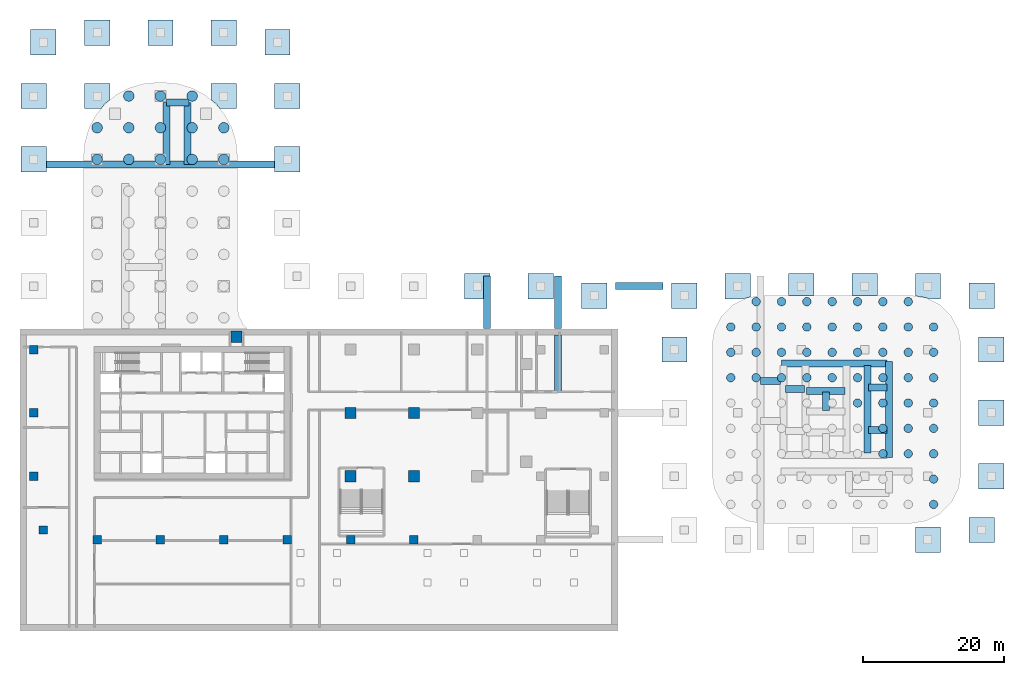
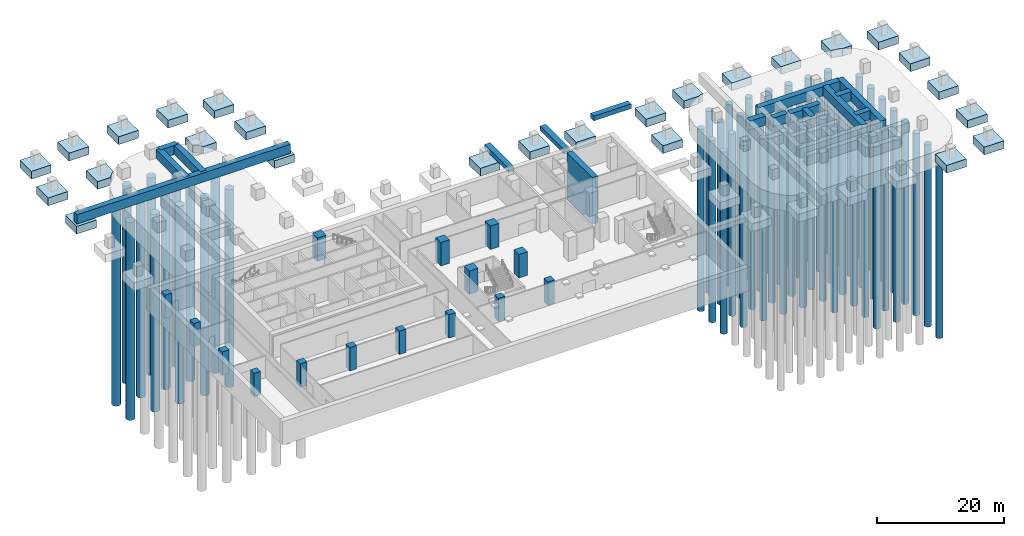
# One storey, part 2 of 14: 59 piles, 43 footings, 15 columns.
"""IFC4 building model written with IfcOpenShell, lengths in metres."""

from ifc_helpers import new_model, si_unit, direction, frame, origin, origin_2d, place, context, subcontext, project, spatial, polyline, rectangle, circle, outline, extrude, material, material_profile, profile_set, type_object, element, save


model = new_model("IFC4")

# Units and contexts
model_context = context("Model", 3, precision=1e-05, world=origin(), true_north=direction((0.0, 1.0)))
body_context = subcontext(model_context, "Body", "Model", "MODEL_VIEW")
ifc_project = project(units=[si_unit("LENGTHUNIT", "METRE"), si_unit("AREAUNIT", "SQUARE_METRE"), si_unit("VOLUMEUNIT", "CUBIC_METRE"), si_unit("PLANEANGLEUNIT", "RADIAN"), si_unit("MASSUNIT", "GRAM", prefix="KILO")], contexts=[model_context])

# Site, building, storey
site_placement = place(None, origin())
site = spatial("IfcSite", under=ifc_project, at=site_placement, CompositionType="ELEMENT")
building_placement = place(site_placement, origin())
building = spatial("IfcBuilding", under=site, at=building_placement, Name="Ogive Portal Towers", CompositionType="ELEMENT")
storey_placement = place(building_placement, frame((0.0, 0.0, -4.5)))
storey = spatial("IfcBuildingStorey", under=building, at=storey_placement, Name="B1", CompositionType="ELEMENT", Elevation=-4.5)

# Footings
ifc_material_1 = material(Name="Concrete C40/50", Category="concrete")
footing_type_1 = type_object("IfcFootingType", Name="CORE WALL STRIP FOOTING 1000", PredefinedType="STRIP_FOOTING", material=ifc_material_1)
footing_1_placement = place(storey_placement, frame((0.0, 0.0, 2.5)))
element("IfcFooting", 1, at=footing_1_placement, inside=storey, type_object=footing_type_1, Name="Core wall strip footing", PredefinedType="STRIP_FOOTING", context=body_context, shape_type="SweptSolid", body=[
    extrude(outline(polyline([(144.5, 37.800048828125), (143.5, 37.800048828125), (143.5, 24.199951171875), (144.5, 24.199951171875), (144.5, 37.800048828125)])), origin(), (0.0, 0.0, 1.0), 1.75),
])
footing_2_placement = place(storey_placement, frame((0.0, 0.0, 2.5)))
element("IfcFooting", 2, at=footing_2_placement, inside=storey, type_object=footing_type_1, Name="Core wall strip footing", PredefinedType="STRIP_FOOTING", context=body_context, shape_type="SweptSolid", body=[
    extrude(outline(polyline([(143.699951171875, 37.0), (143.699951171875, 38.0), (128.699951171875, 38.0), (128.699951171875, 37.0), (143.699951171875, 37.0)])), origin(), (0.0, 0.0, 1.0), 1.75),
])
footing_3_placement = place(storey_placement, frame((0.0, 0.0, 2.5)))
element("IfcFooting", 3, at=footing_3_placement, inside=storey, type_object=footing_type_1, Name="Core wall strip footing", PredefinedType="STRIP_FOOTING", context=body_context, shape_type="SweptSolid", body=[
    extrude(outline(polyline([(141.39990234375, 37.199951171875), (140.39990234375, 37.199951171875), (140.39990234375, 24.800048828125), (141.39990234375, 24.800048828125), (141.39990234375, 37.199951171875)])), origin(), (0.0, 0.0, 1.0), 1.75),
])
footing_4_placement = place(storey_placement, frame((0.0, 0.0, 2.5)))
element("IfcFooting", 4, at=footing_4_placement, inside=storey, type_object=footing_type_1, Name="Core wall strip footing", PredefinedType="STRIP_FOOTING", context=body_context, shape_type="SweptSolid", body=[
    extrude(outline(polyline([(135.5, 33.449951171875), (134.5, 33.449951171875), (134.5, 30.85009765625), (135.5, 30.85009765625), (135.5, 33.449951171875)])), origin(), (0.0, 0.0, 1.0), 1.75),
])
footing_5_placement = place(storey_placement, frame((0.0, 0.0, 2.5)))
element("IfcFooting", 5, at=footing_5_placement, inside=storey, type_object=footing_type_1, Name="Core wall strip footing", PredefinedType="STRIP_FOOTING", context=body_context, shape_type="SweptSolid", body=[
    extrude(outline(polyline([(137.75, 33.10009765625), (137.75, 34.10009765625), (132.25, 34.10009765625), (132.25, 33.10009765625), (137.75, 33.10009765625)])), origin(), (0.0, 0.0, 1.0), 1.75),
])
footing_6_placement = place(storey_placement, frame((0.0, 0.0, 2.5)))
element("IfcFooting", 6, at=footing_6_placement, inside=storey, type_object=footing_type_1, Name="Core wall strip footing", PredefinedType="STRIP_FOOTING", context=body_context, shape_type="SweptSolid", body=[
    extrude(outline(polyline([(131.949951171875, 33.39990234375), (131.949951171875, 34.39990234375), (129.300048828125, 34.39990234375), (129.300048828125, 33.39990234375), (131.949951171875, 33.39990234375)])), origin(), (0.0, 0.0, 1.0), 1.75),
])
footing_7_placement = place(storey_placement, frame((0.0, 0.0, 2.5)))
element("IfcFooting", 7, at=footing_7_placement, inside=storey, type_object=footing_type_1, Name="Core wall strip footing", PredefinedType="STRIP_FOOTING", context=body_context, shape_type="SweptSolid", body=[
    extrude(outline(polyline([(143.699951171875, 27.60009765625), (143.699951171875, 28.60009765625), (141.050048828125, 28.60009765625), (141.050048828125, 27.60009765625), (143.699951171875, 27.60009765625)])), origin(), (0.0, 0.0, 1.0), 1.75),
])
footing_8_placement = place(storey_placement, frame((0.0, 0.0, 2.5)))
element("IfcFooting", 8, at=footing_8_placement, inside=storey, type_object=footing_type_1, Name="Core wall strip footing", PredefinedType="STRIP_FOOTING", context=body_context, shape_type="SweptSolid", body=[
    extrude(outline(polyline([(143.699951171875, 33.60009765625), (143.699951171875, 34.60009765625), (141.050048828125, 34.60009765625), (141.050048828125, 33.60009765625), (143.699951171875, 33.60009765625)])), origin(), (0.0, 0.0, 1.0), 1.75),
])
footing_type_2 = type_object("IfcFootingType", Name="PAD 3600x3600x1500", PredefinedType="PAD_FOOTING", material=ifc_material_1)
footing_9_placement = place(storey_placement, frame((0.0, 0.0, 1.0)))
element("IfcFooting", 9, at=footing_9_placement, inside=storey, type_object=footing_type_2, Name="Pad footing", PredefinedType="PAD_FOOTING", context=body_context, shape_type="SweptSolid", body=[
    extrude(outline(polyline([(24.300048828125, 64.699951171875), (24.300048828125, 68.300048828125), (20.699951171875, 68.300048828125), (20.699951171875, 64.699951171875), (24.300048828125, 64.699951171875)])), origin(), (0.0, 0.0, 1.0), 1.5),
])
footing_10_placement = place(storey_placement, frame((0.0, 0.0, 1.0)))
element("IfcFooting", 10, at=footing_10_placement, inside=storey, type_object=footing_type_2, Name="Pad footing", PredefinedType="PAD_FOOTING", context=body_context, shape_type="SweptSolid", body=[
    extrude(outline(polyline([(24.300048828125, 73.699951171875), (24.300048828125, 77.300048828125), (20.699951171875, 77.300048828125), (20.699951171875, 73.699951171875), (24.300048828125, 73.699951171875)])), origin(), (0.0, 0.0, 1.0), 1.5),
])
footing_11_placement = place(storey_placement, frame((0.0, 0.0, 1.0)))
element("IfcFooting", 11, at=footing_11_placement, inside=storey, type_object=footing_type_2, Name="Pad footing", PredefinedType="PAD_FOOTING", context=body_context, shape_type="SweptSolid", body=[
    extrude(outline(polyline([(25.669921875, 81.330078125), (25.669921875, 84.929931640625), (22.070068359375, 84.929931640625), (22.070068359375, 81.330078125), (25.669921875, 81.330078125)])), origin(), (0.0, 0.0, 1.0), 1.5),
])
footing_12_placement = place(storey_placement, frame((0.0, 0.0, 1.0)))
element("IfcFooting", 12, at=footing_12_placement, inside=storey, type_object=footing_type_2, Name="Pad footing", PredefinedType="PAD_FOOTING", context=body_context, shape_type="SweptSolid", body=[
    extrude(outline(polyline([(29.699951171875, 73.699951171875), (32.0419921875, 73.699951171875), (32.611083984375, 74.39013671875), (33.300048828125, 74.9580078125), (33.300048828125, 77.300048828125), (29.699951171875, 77.300048828125), (29.699951171875, 73.699951171875)])), origin(), (0.0, 0.0, 1.0), 1.5),
])
footing_13_placement = place(storey_placement, frame((0.0, 0.0, 1.0)))
element("IfcFooting", 13, at=footing_13_placement, inside=storey, type_object=footing_type_2, Name="Pad footing", PredefinedType="PAD_FOOTING", context=body_context, shape_type="SweptSolid", body=[
    extrude(outline(polyline([(33.300048828125, 82.699951171875), (33.300048828125, 86.300048828125), (29.699951171875, 86.300048828125), (29.699951171875, 82.699951171875), (33.300048828125, 82.699951171875)])), origin(), (0.0, 0.0, 1.0), 1.5),
])
footing_14_placement = place(storey_placement, frame((0.0, 0.0, 1.0)))
element("IfcFooting", 14, at=footing_14_placement, inside=storey, type_object=footing_type_2, Name="Pad footing", PredefinedType="PAD_FOOTING", context=body_context, shape_type="SweptSolid", body=[
    extrude(outline(polyline([(42.300048828125, 82.699951171875), (42.300048828125, 86.300048828125), (38.699951171875, 86.300048828125), (38.699951171875, 82.699951171875), (42.300048828125, 82.699951171875)])), origin(), (0.0, 0.0, 1.0), 1.5),
])
footing_15_placement = place(storey_placement, frame((0.0, 0.0, 1.0)))
element("IfcFooting", 15, at=footing_15_placement, inside=storey, type_object=footing_type_2, Name="Pad footing", PredefinedType="PAD_FOOTING", context=body_context, shape_type="SweptSolid", body=[
    extrude(outline(polyline([(47.699951171875, 77.300048828125), (47.699951171875, 74.9580078125), (48.39013671875, 74.388916015625), (48.9580078125, 73.699951171875), (51.300048828125, 73.699951171875), (51.300048828125, 77.300048828125), (47.699951171875, 77.300048828125)])), origin(), (0.0, 0.0, 1.0), 1.5),
])
footing_16_placement = place(storey_placement, frame((0.0, 0.0, 1.0)))
element("IfcFooting", 16, at=footing_16_placement, inside=storey, type_object=footing_type_2, Name="Pad footing", PredefinedType="PAD_FOOTING", context=body_context, shape_type="SweptSolid", body=[
    extrude(outline(polyline([(51.300048828125, 82.699951171875), (51.300048828125, 86.300048828125), (47.699951171875, 86.300048828125), (47.699951171875, 82.699951171875), (51.300048828125, 82.699951171875)])), origin(), (0.0, 0.0, 1.0), 1.5),
])
footing_17_placement = place(storey_placement, frame((0.0, 0.0, 1.0)))
element("IfcFooting", 17, at=footing_17_placement, inside=storey, type_object=footing_type_2, Name="Pad footing", PredefinedType="PAD_FOOTING", context=body_context, shape_type="SweptSolid", body=[
    extrude(outline(polyline([(58.929931640625, 81.330078125), (58.929931640625, 84.929931640625), (55.330078125, 84.929931640625), (55.330078125, 81.330078125), (58.929931640625, 81.330078125)])), origin(), (0.0, 0.0, 1.0), 1.5),
])
footing_18_placement = place(storey_placement, frame((0.0, 0.0, 1.0)))
element("IfcFooting", 18, at=footing_18_placement, inside=storey, type_object=footing_type_2, Name="Pad footing", PredefinedType="PAD_FOOTING", context=body_context, shape_type="SweptSolid", body=[
    extrude(outline(polyline([(60.300048828125, 64.699951171875), (60.300048828125, 68.300048828125), (56.699951171875, 68.300048828125), (56.699951171875, 64.699951171875), (60.300048828125, 64.699951171875)])), origin(), (0.0, 0.0, 1.0), 1.5),
])
footing_19_placement = place(storey_placement, frame((0.0, 0.0, 1.0)))
element("IfcFooting", 19, at=footing_19_placement, inside=storey, type_object=footing_type_2, Name="Pad footing", PredefinedType="PAD_FOOTING", context=body_context, shape_type="SweptSolid", body=[
    extrude(outline(polyline([(60.300048828125, 73.699951171875), (60.300048828125, 77.300048828125), (56.699951171875, 77.300048828125), (56.699951171875, 73.699951171875), (60.300048828125, 73.699951171875)])), origin(), (0.0, 0.0, 1.0), 1.5),
])
footing_20_placement = place(storey_placement, frame((0.0, 0.0, 1.0)))
element("IfcFooting", 20, at=footing_20_placement, inside=storey, type_object=footing_type_2, Name="Pad footing", PredefinedType="PAD_FOOTING", context=body_context, shape_type="SweptSolid", body=[
    extrude(outline(polyline([(87.300048828125, 46.699951171875), (87.300048828125, 50.300048828125), (83.699951171875, 50.300048828125), (83.699951171875, 46.699951171875), (87.300048828125, 46.699951171875)])), origin(), (0.0, 0.0, 1.0), 1.5),
])
footing_21_placement = place(storey_placement, frame((0.0, 0.0, 1.0)))
element("IfcFooting", 21, at=footing_21_placement, inside=storey, type_object=footing_type_2, Name="Pad footing", PredefinedType="PAD_FOOTING", context=body_context, shape_type="SweptSolid", body=[
    extrude(outline(polyline([(96.300048828125, 46.699951171875), (96.300048828125, 50.300048828125), (92.699951171875, 50.300048828125), (92.699951171875, 46.699951171875), (96.300048828125, 46.699951171875)])), origin(), (0.0, 0.0, 1.0), 1.5),
])
footing_22_placement = place(storey_placement, frame((0.0, 0.0, 1.0)))
element("IfcFooting", 22, at=footing_22_placement, inside=storey, type_object=footing_type_2, Name="Pad footing", PredefinedType="PAD_FOOTING", context=body_context, shape_type="SweptSolid", body=[
    extrude(outline(polyline([(103.929931640625, 45.330078125), (103.929931640625, 48.929931640625), (100.330078125, 48.929931640625), (100.330078125, 45.330078125), (103.929931640625, 45.330078125)])), origin(), (0.0, 0.0, 1.0), 1.5),
])
footing_23_placement = place(storey_placement, frame((0.0, 0.0, 1.0)))
element("IfcFooting", 23, at=footing_23_placement, inside=storey, type_object=footing_type_2, Name="Pad footing", PredefinedType="PAD_FOOTING", context=body_context, shape_type="SweptSolid", body=[
    extrude(outline(polyline([(115.300048828125, 37.699951171875), (115.300048828125, 41.300048828125), (111.699951171875, 41.300048828125), (111.699951171875, 37.699951171875), (115.300048828125, 37.699951171875)])), origin(), (0.0, 0.0, 1.0), 1.5),
])
footing_24_placement = place(storey_placement, frame((0.0, 0.0, 1.0)))
element("IfcFooting", 24, at=footing_24_placement, inside=storey, type_object=footing_type_2, Name="Pad footing", PredefinedType="PAD_FOOTING", context=body_context, shape_type="SweptSolid", body=[
    extrude(outline(polyline([(116.669921875, 45.330078125), (116.669921875, 48.929931640625), (113.070068359375, 48.929931640625), (113.070068359375, 45.330078125), (116.669921875, 45.330078125)])), origin(), (0.0, 0.0, 1.0), 1.5),
])
footing_25_placement = place(storey_placement, frame((0.0, 0.0, 1.0)))
element("IfcFooting", 25, at=footing_25_placement, inside=storey, type_object=footing_type_2, Name="Pad footing", PredefinedType="PAD_FOOTING", context=body_context, shape_type="SweptSolid", body=[
    extrude(outline(polyline([(120.699951171875, 46.699951171875), (123.4306640625, 46.699951171875), (123.768310546875, 46.87158203125), (124.300048828125, 46.955810546875), (124.300048828125, 50.300048828125), (120.699951171875, 50.300048828125), (120.699951171875, 46.699951171875)])), origin(), (0.0, 0.0, 1.0), 1.5),
])
footing_26_placement = place(storey_placement, frame((0.0, 0.0, 1.0)))
element("IfcFooting", 26, at=footing_26_placement, inside=storey, type_object=footing_type_2, Name="Pad footing", PredefinedType="PAD_FOOTING", context=body_context, shape_type="SweptSolid", body=[
    extrude(outline(polyline([(129.699951171875, 50.300048828125), (129.699951171875, 47.199951171875), (133.300048828125, 47.199951171875), (133.300048828125, 50.300048828125), (129.699951171875, 50.300048828125)])), origin(), (0.0, 0.0, 1.0), 1.5),
])
footing_27_placement = place(storey_placement, frame((0.0, 0.0, 1.0)))
element("IfcFooting", 27, at=footing_27_placement, inside=storey, type_object=footing_type_2, Name="Pad footing", PredefinedType="PAD_FOOTING", context=body_context, shape_type="SweptSolid", body=[
    extrude(outline(polyline([(138.699951171875, 50.300048828125), (138.699951171875, 47.199951171875), (142.300048828125, 47.199951171875), (142.300048828125, 50.300048828125), (138.699951171875, 50.300048828125)])), origin(), (0.0, 0.0, 1.0), 1.5),
])
footing_28_placement = place(storey_placement, frame((0.0, 0.0, 1.0)))
element("IfcFooting", 28, at=footing_28_placement, inside=storey, type_object=footing_type_2, Name="Pad footing", PredefinedType="PAD_FOOTING", context=body_context, shape_type="SweptSolid", body=[
    extrude(outline(polyline([(151.300048828125, 10.699951171875), (151.300048828125, 14.300048828125), (147.699951171875, 14.300048828125), (147.699951171875, 10.699951171875), (151.300048828125, 10.699951171875)])), origin(), (0.0, 0.0, 1.0), 1.5),
])
footing_29_placement = place(storey_placement, frame((0.0, 0.0, 1.0)))
element("IfcFooting", 29, at=footing_29_placement, inside=storey, type_object=footing_type_2, Name="Pad footing", PredefinedType="PAD_FOOTING", context=body_context, shape_type="SweptSolid", body=[
    extrude(outline(polyline([(147.699951171875, 50.300048828125), (147.699951171875, 47.1142578125), (149.231689453125, 46.87158203125), (149.5693359375, 46.699951171875), (151.300048828125, 46.699951171875), (151.300048828125, 50.300048828125), (147.699951171875, 50.300048828125)])), origin(), (0.0, 0.0, 1.0), 1.5),
])
footing_30_placement = place(storey_placement, frame((0.0, 0.0, 1.0)))
element("IfcFooting", 30, at=footing_30_placement, inside=storey, type_object=footing_type_2, Name="Pad footing", PredefinedType="PAD_FOOTING", context=body_context, shape_type="SweptSolid", body=[
    extrude(outline(polyline([(158.929931640625, 12.070068359375), (158.929931640625, 15.669921875), (155.330078125, 15.669921875), (155.330078125, 12.070068359375), (158.929931640625, 12.070068359375)])), origin(), (0.0, 0.0, 1.0), 1.5),
])
footing_31_placement = place(storey_placement, frame((0.0, 0.0, 1.0)))
element("IfcFooting", 31, at=footing_31_placement, inside=storey, type_object=footing_type_2, Name="Pad footing", PredefinedType="PAD_FOOTING", context=body_context, shape_type="SweptSolid", body=[
    extrude(outline(polyline([(158.929931640625, 45.330078125), (158.929931640625, 48.929931640625), (155.330078125, 48.929931640625), (155.330078125, 45.330078125), (158.929931640625, 45.330078125)])), origin(), (0.0, 0.0, 1.0), 1.5),
])
footing_32_placement = place(storey_placement, frame((0.0, 0.0, 1.0)))
element("IfcFooting", 32, at=footing_32_placement, inside=storey, type_object=footing_type_2, Name="Pad footing", PredefinedType="PAD_FOOTING", context=body_context, shape_type="SweptSolid", body=[
    extrude(outline(polyline([(160.300048828125, 19.699951171875), (160.300048828125, 23.300048828125), (156.699951171875, 23.300048828125), (156.699951171875, 19.699951171875), (160.300048828125, 19.699951171875)])), origin(), (0.0, 0.0, 1.0), 1.5),
])
footing_33_placement = place(storey_placement, frame((0.0, 0.0, 1.0)))
element("IfcFooting", 33, at=footing_33_placement, inside=storey, type_object=footing_type_2, Name="Pad footing", PredefinedType="PAD_FOOTING", context=body_context, shape_type="SweptSolid", body=[
    extrude(outline(polyline([(160.300048828125, 28.699951171875), (160.300048828125, 32.300048828125), (156.699951171875, 32.300048828125), (156.699951171875, 28.699951171875), (160.300048828125, 28.699951171875)])), origin(), (0.0, 0.0, 1.0), 1.5),
])
footing_34_placement = place(storey_placement, frame((0.0, 0.0, 1.0)))
element("IfcFooting", 34, at=footing_34_placement, inside=storey, type_object=footing_type_2, Name="Pad footing", PredefinedType="PAD_FOOTING", context=body_context, shape_type="SweptSolid", body=[
    extrude(outline(polyline([(160.300048828125, 37.699951171875), (160.300048828125, 41.300048828125), (156.699951171875, 41.300048828125), (156.699951171875, 37.699951171875), (160.300048828125, 37.699951171875)])), origin(), (0.0, 0.0, 1.0), 1.5),
])

# Piles
ifc_material_profile_1 = material_profile(ifc_material_1, circle(Radius=0.60009765625, at=origin_2d()), Name="PILE D1200")
ifc_profile_set_1 = profile_set([ifc_material_profile_1], Name="Concrete C40/50")
pile_type_1 = type_object("IfcPileType", Name="PILE D1200", PredefinedType="BORED", material=ifc_profile_set_1)
for number, where, z_axis, x_axis, name in (
    (35, (150.300048828125, 17.5, -0.39990234375), (0.0, 0.0, -1.0), (1.0, 0.0, 0.0), "Bored pile B009"),
    (36, (150.300048828125, 21.10009765625, -0.39990234375), (0.0, 0.0, -1.0), (1.0, 0.0, 0.0), "Bored pile B018"),
    (37, (143.10009765625, 24.699951171875, -0.39990234375), (0.0, 0.0, -1.0), (1.0, 0.0, 0.0), "Bored pile B025"),
    (38, (146.699951171875, 24.699951171875, -0.39990234375), (0.0, 0.0, -1.0), (1.0, 0.0, 0.0), "Bored pile B026"),
    (39, (150.300048828125, 24.699951171875, -0.39990234375), (0.0, 0.0, -1.0), (1.0, 0.0, 0.0), "Bored pile B027"),
    (40, (143.10009765625, 28.300048828125, -0.39990234375), (0.0, 0.0, -1.0), (1.0, 0.0, 0.0), "Bored pile B034"),
    (41, (146.699951171875, 28.300048828125, -0.39990234375), (0.0, 0.0, -1.0), (1.0, 0.0, 0.0), "Bored pile B035"),
    (42, (150.300048828125, 28.300048828125, -0.39990234375), (0.0, 0.0, -1.0), (1.0, 0.0, 0.0), "Bored pile B036"),
    (43, (139.5, 31.89990234375, -0.39990234375), (0.0, 0.0, -1.0), (1.0, 0.0, 0.0), "Bored pile B042"),
    (44, (143.10009765625, 31.89990234375, -0.39990234375), (0.0, 0.0, -1.0), (1.0, 0.0, 0.0), "Bored pile B043"),
    (45, (146.699951171875, 31.89990234375, -0.39990234375), (0.0, 0.0, -1.0), (1.0, 0.0, 0.0), "Bored pile B044"),
    (46, (150.300048828125, 31.89990234375, -0.39990234375), (0.0, 0.0, -1.0), (1.0, 0.0, 0.0), "Bored pile B045"),
    (47, (121.5, 35.5, -0.39990234375), (0.0, 0.0, -1.0), (1.0, 0.0, 0.0), "Bored pile B046"),
    (48, (125.10009765625, 35.5, -0.39990234375), (0.0, 0.0, -1.0), (1.0, 0.0, 0.0), "Bored pile B047"),
    (49, (128.699951171875, 35.5, -0.39990234375), (0.0, 0.0, -1.0), (1.0, 0.0, 0.0), "Bored pile B048"),
    (50, (132.300048828125, 35.5, -0.39990234375), (0.0, 0.0, -1.0), (1.0, 0.0, 0.0), "Bored pile B049"),
    (51, (135.89990234375, 35.5, -0.39990234375), (0.0, 0.0, -1.0), (1.0, 0.0, 0.0), "Bored pile B050"),
    (52, (139.5, 35.5, -0.39990234375), (0.0, 0.0, -1.0), (1.0, 0.0, 0.0), "Bored pile B051"),
    (53, (143.10009765625, 35.5, -0.39990234375), (0.0, 0.0, -1.0), (1.0, 0.0, 0.0), "Bored pile B052"),
    (54, (146.699951171875, 35.5, -0.39990234375), (0.0, 0.0, -1.0), (1.0, 0.0, 0.0), "Bored pile B053"),
    (55, (150.300048828125, 35.5, -0.39990234375), (0.0, 0.0, -1.0), (1.0, 0.0, 0.0), "Bored pile B054"),
    (56, (121.5, 39.10009765625, -0.39990234375), (0.0, 0.0, -1.0), (1.0, 0.0, 0.0), "Bored pile B055"),
    (57, (125.10009765625, 39.10009765625, -0.39990234375), (0.0, 0.0, -1.0), (1.0, 0.0, 0.0), "Bored pile B056"),
    (58, (128.699951171875, 39.10009765625, -0.39990234375), (0.0, 0.0, -1.0), (1.0, 0.0, 0.0), "Bored pile B057"),
    (59, (132.300048828125, 39.10009765625, -0.39990234375), (0.0, 0.0, -1.0), (1.0, 0.0, 0.0), "Bored pile B058"),
    (60, (135.89990234375, 39.10009765625, -0.39990234375), (0.0, 0.0, -1.0), (1.0, 0.0, 0.0), "Bored pile B059"),
    (61, (139.5, 39.10009765625, -0.39990234375), (0.0, 0.0, -1.0), (1.0, 0.0, 0.0), "Bored pile B060"),
    (62, (143.10009765625, 39.10009765625, -0.39990234375), (0.0, 0.0, -1.0), (1.0, 0.0, 0.0), "Bored pile B061"),
    (63, (146.699951171875, 39.10009765625, -0.39990234375), (0.0, 0.0, -1.0), (1.0, 0.0, 0.0), "Bored pile B062"),
    (64, (150.300048828125, 39.10009765625, -0.39990234375), (0.0, 0.0, -1.0), (1.0, 0.0, 0.0), "Bored pile B063"),
    (65, (121.5, 42.699951171875, -0.39990234375), (0.0, 0.0, -1.0), (1.0, 0.0, 0.0), "Bored pile B064"),
    (66, (125.10009765625, 42.699951171875, -0.39990234375), (0.0, 0.0, -1.0), (1.0, 0.0, 0.0), "Bored pile B065"),
    (67, (128.699951171875, 42.699951171875, -0.39990234375), (0.0, 0.0, -1.0), (1.0, 0.0, 0.0), "Bored pile B066"),
    (68, (132.300048828125, 42.699951171875, -0.39990234375), (0.0, 0.0, -1.0), (1.0, 0.0, 0.0), "Bored pile B067"),
    (69, (135.89990234375, 42.699951171875, -0.39990234375), (0.0, 0.0, -1.0), (1.0, 0.0, 0.0), "Bored pile B068"),
    (70, (139.5, 42.699951171875, -0.39990234375), (0.0, 0.0, -1.0), (1.0, 0.0, 0.0), "Bored pile B069"),
    (71, (143.10009765625, 42.699951171875, -0.39990234375), (0.0, 0.0, -1.0), (1.0, 0.0, 0.0), "Bored pile B070"),
    (72, (146.699951171875, 42.699951171875, -0.39990234375), (0.0, 0.0, -1.0), (1.0, 0.0, 0.0), "Bored pile B071"),
    (73, (150.300048828125, 42.699951171875, -0.39990234375), (0.0, 0.0, -1.0), (1.0, 0.0, 0.0), "Bored pile B072"),
    (74, (125.10009765625, 46.300048828125, -0.39990234375), (0.0, 0.0, -1.0), (1.0, 0.0, 0.0), "Bored pile B073"),
    (75, (128.699951171875, 46.300048828125, -0.39990234375), (0.0, 0.0, -1.0), (1.0, 0.0, 0.0), "Bored pile B074"),
    (76, (132.300048828125, 46.300048828125, -0.39990234375), (0.0, 0.0, -1.0), (1.0, 0.0, 0.0), "Bored pile B075"),
    (77, (135.89990234375, 46.300048828125, -0.39990234375), (0.0, 0.0, -1.0), (1.0, 0.0, 0.0), "Bored pile B076"),
    (78, (139.5, 46.300048828125, -0.39990234375), (0.0, 0.0, -1.0), (1.0, 0.0, 0.0), "Bored pile B077"),
    (79, (143.10009765625, 46.300048828125, -0.39990234375), (0.0, 0.0, -1.0), (1.0, 0.0, 0.0), "Bored pile B078"),
    (80, (146.699951171875, 46.300048828125, -0.39990234375), (0.0, 0.0, -1.0), (1.0, 0.0, 0.0), "Bored pile B079"),
):
    element("IfcPile", number, at=place(storey_placement, frame(where, z_axis=z_axis, x_axis=x_axis)), inside=storey, type_object=pile_type_1, Name=name, PredefinedType="BORED", context=body_context, shape_type="SweptSolid", body=[
        extrude(circle(Radius=0.60009765625, at=origin_2d()), origin(), (0.0, 0.0, 1.0), 35.0),
    ])
ifc_material_profile_2 = material_profile(ifc_material_1, circle(Radius=0.75, at=origin_2d()), Name="PILE D1500")
ifc_profile_set_2 = profile_set([ifc_material_profile_2], Name="Concrete C40/50")
pile_type_2 = type_object("IfcPileType", Name="PILE D1500", PredefinedType="BORED", material=ifc_profile_set_2)
for number, where, z_axis, x_axis, name in (
    (81, (31.5, 66.5, -1.14990234375), (0.0, 0.0, -1.0), (1.0, 0.0, 0.0), "Bored pile A2026"),
    (82, (36.0, 66.5, -1.14990234375), (0.0, 0.0, -1.0), (1.0, 0.0, 0.0), "Bored pile A2027"),
    (83, (40.5, 66.5, -1.14990234375), (0.0, 0.0, -1.0), (1.0, 0.0, 0.0), "Bored pile A2028"),
    (84, (45.0, 66.5, -1.14990234375), (0.0, 0.0, -1.0), (1.0, 0.0, 0.0), "Bored pile A2029"),
    (85, (49.5, 66.5, -1.14990234375), (0.0, 0.0, -1.0), (1.0, 0.0, 0.0), "Bored pile A2030"),
    (86, (31.5, 71.0, -1.14990234375), (0.0, 0.0, -1.0), (1.0, 0.0, 0.0), "Bored pile A2031"),
    (87, (36.0, 71.0, -1.14990234375), (0.0, 0.0, -1.0), (1.0, 0.0, 0.0), "Bored pile A2032"),
    (88, (40.5, 71.0, -1.14990234375), (0.0, 0.0, -1.0), (1.0, 0.0, 0.0), "Bored pile A2033"),
    (89, (45.0, 71.0, -1.14990234375), (0.0, 0.0, -1.0), (1.0, 0.0, 0.0), "Bored pile A2034"),
    (90, (49.5, 71.0, -1.14990234375), (0.0, 0.0, -1.0), (1.0, 0.0, 0.0), "Bored pile A2035"),
    (91, (36.0, 75.5, -1.14990234375), (0.0, 0.0, -1.0), (1.0, 0.0, 0.0), "Bored pile A2036"),
    (92, (40.5, 75.5, -1.14990234375), (0.0, 0.0, -1.0), (1.0, 0.0, 0.0), "Bored pile A2037"),
    (93, (45.0, 75.5, -1.14990234375), (0.0, 0.0, -1.0), (1.0, 0.0, 0.0), "Bored pile A2038"),
):
    element("IfcPile", number, at=place(storey_placement, frame(where, z_axis=z_axis, x_axis=x_axis)), inside=storey, type_object=pile_type_2, Name=name, PredefinedType="BORED", context=body_context, shape_type="SweptSolid", body=[
        extrude(circle(Radius=0.75, at=origin_2d()), origin(), (0.0, 0.0, 1.0), 38.0),
    ])

# Footings
footing_type_3 = type_object("IfcFootingType", Name="STAIR WALL STRIP FOOTING", PredefinedType="STRIP_FOOTING", material=ifc_material_1)
footing_35_placement = place(storey_placement, frame((0.0, 0.0, 2.5)))
element("IfcFooting", 94, at=footing_35_placement, inside=storey, type_object=footing_type_3, Name="Stair wall strip footing ST-B1", PredefinedType="STRIP_FOOTING", context=body_context, shape_type="SweptSolid", body=[
    extrude(outline(polyline([(128.530029296875, 34.550048828125), (128.530029296875, 35.550048828125), (125.699951171875, 35.550048828125), (125.699951171875, 34.550048828125), (128.530029296875, 34.550048828125)])), origin(), (0.0, 0.0, 1.0), 1.75),
])
footing_36_placement = place(storey_placement, frame((0.0, 0.0, 2.5)))
element("IfcFooting", 95, at=footing_36_placement, inside=storey, type_object=footing_type_3, Name="Stair wall strip footing ST-A3", PredefinedType="STRIP_FOOTING", context=body_context, shape_type="SweptSolid", body=[
    extrude(outline(polyline([(59.929931640625, 65.25), (59.929931640625, 66.25), (21.070068359375, 66.25), (21.070068359375, 65.25), (59.929931640625, 65.25)])), origin(), (0.0, 0.0, 1.0), 1.75),
])
footing_37_placement = place(storey_placement, frame((0.0, 0.0, 2.5)))
element("IfcFooting", 96, at=footing_37_placement, inside=storey, type_object=footing_type_3, Name="Stair wall strip footing ST-A3", PredefinedType="STRIP_FOOTING", context=body_context, shape_type="SweptSolid", body=[
    extrude(outline(polyline([(44.550048828125, 74.10009765625), (44.550048828125, 75.10009765625), (41.35009765625, 75.10009765625), (41.35009765625, 74.10009765625), (44.550048828125, 74.10009765625)])), origin(), (0.0, 0.0, 1.0), 1.75),
])
footing_38_placement = place(storey_placement, frame((0.0, 0.0, 2.5)))
element("IfcFooting", 97, at=footing_38_placement, inside=storey, type_object=footing_type_3, Name="Stair wall strip footing ST-A3", PredefinedType="STRIP_FOOTING", context=body_context, shape_type="SweptSolid", body=[
    extrude(outline(polyline([(41.85009765625, 74.60009765625), (40.85009765625, 74.60009765625), (40.85009765625, 65.75), (41.85009765625, 65.75), (41.85009765625, 74.60009765625)])), origin(), (0.0, 0.0, 1.0), 1.75),
])
footing_39_placement = place(storey_placement, frame((0.0, 0.0, 2.5)))
element("IfcFooting", 98, at=footing_39_placement, inside=storey, type_object=footing_type_3, Name="Stair wall strip footing ST-A3", PredefinedType="STRIP_FOOTING", context=body_context, shape_type="SweptSolid", body=[
    extrude(outline(polyline([(44.85009765625, 74.60009765625), (43.85009765625, 74.60009765625), (43.85009765625, 65.75), (44.85009765625, 65.75), (44.85009765625, 74.60009765625)])), origin(), (0.0, 0.0, 1.0), 1.75),
])
footing_type_4 = type_object("IfcFootingType", Name="STRIP FOOTING 1000X900", PredefinedType="STRIP_FOOTING", material=ifc_material_1)
footing_40_placement = place(storey_placement, frame((0.0, 0.0, 3.35009765625)))
element("IfcFooting", 99, at=footing_40_placement, inside=storey, type_object=footing_type_4, Name="Stair wall strip footing ST-A4", PredefinedType="STRIP_FOOTING", context=body_context, shape_type="SweptSolid", body=[
    extrude(outline(polyline([(87.35009765625, 49.929931640625), (86.35009765625, 49.929931640625), (86.35009765625, 42.469970703125), (87.35009765625, 42.469970703125), (87.35009765625, 49.929931640625)])), origin(), (0.0, 0.0, 1.0), 0.89990234375),
])
footing_41_placement = place(storey_placement, frame((0.0, 0.0, 3.35009765625)))
element("IfcFooting", 100, at=footing_41_placement, inside=storey, type_object=footing_type_4, Name="Stair wall strip footing ST-P1", PredefinedType="STRIP_FOOTING", context=body_context, shape_type="SweptSolid", body=[
    extrude(outline(polyline([(97.449951171875, 49.929931640625), (96.449951171875, 49.929931640625), (96.449951171875, 42.469970703125), (97.449951171875, 42.469970703125), (97.449951171875, 49.929931640625)])), origin(), (0.0, 0.0, 1.0), 0.89990234375),
])
footing_42_placement = place(storey_placement, frame((0.0, 0.0, 3.35009765625)))
element("IfcFooting", 101, at=footing_42_placement, inside=storey, type_object=footing_type_4, Name="Street slab strip footing", PredefinedType="STRIP_FOOTING", context=body_context, shape_type="SweptSolid", body=[
    extrude(outline(polyline([(105.10009765625, 49.0), (105.10009765625, 48.0), (111.89990234375, 48.0), (111.89990234375, 49.0), (105.10009765625, 49.0)])), origin(), (0.0, 0.0, 1.0), 0.89990234375),
])
footing_type_5 = type_object("IfcFootingType", Name="STRIP FOOTING 1000X9000", PredefinedType="STRIP_FOOTING", material=ifc_material_1)
footing_43_placement = place(storey_placement, frame((0.0, 0.0, -4.75)))
element("IfcFooting", 102, at=footing_43_placement, inside=storey, type_object=footing_type_5, Name="Stair wall strip footing ST-P1", PredefinedType="STRIP_FOOTING", context=body_context, shape_type="SweptSolid", body=[
    extrude(outline(polyline([(97.449951171875, 33.5), (97.449951171875, 41.530029296875), (96.449951171875, 41.530029296875), (96.449951171875, 33.5), (97.449951171875, 33.5)])), origin(), (0.0, 0.0, 1.0), 9.0),
])

# Columns
ifc_material_2 = material(Name="Concrete C50/60", Category="concrete")
ifc_material_profile_3 = material_profile(ifc_material_2, rectangle(XDim=1.199951171875, YDim=1.199951171875, at=origin_2d()), Name="RC 1200x1200")
ifc_profile_set_3 = profile_set([ifc_material_profile_3], Name="Concrete C50/60")
column_type_1 = type_object("IfcColumnType", Name="COLUMN RC 1200x1200", PredefinedType="COLUMN", material=ifc_profile_set_3)
for number, where, z_axis, x_axis, name in (
    (103, (31.5, 12.5, 0.0), (0.0, 0.0, 1.0), (1.0, 0.0, 0.0), "Column 1/Z B1"),
    (104, (40.5, 12.5, 0.0), (0.0, 0.0, 1.0), (1.0, 0.0, 0.0), "Column 2/Z B1"),
    (105, (49.5, 12.5, 0.0), (0.0, 0.0, 1.0), (1.0, 0.0, 0.0), "Column 3/Z B1"),
    (106, (58.5, 12.5, 0.0), (0.0, 0.0, 1.0), (1.0, 0.0, 0.0), "Column 4/Z B1"),
    (107, (67.5, 12.5, 0.0), (0.0, 0.0, 1.0), (1.0, 0.0, 0.0), "Column 5/Z B1"),
    (108, (76.5, 12.5, 0.0), (0.0, 0.0, 1.0), (1.0, 0.0, 0.0), "Column 6/Z B1"),
    (109, (23.8701171875, 13.8701171875, 0.0), (0.0, 0.0, 1.0), (1.0, 0.0, 0.0), "Column B1"),
    (110, (22.5, 21.5, 0.0), (0.0, 0.0, 1.0), (1.0, 0.0, 0.0), "Column 0/A B1"),
    (111, (22.5, 30.5, 0.0), (0.0, 0.0, 1.0), (1.0, 0.0, 0.0), "Column 0/B B1"),
    (112, (22.5, 39.5, 0.0), (0.0, 0.0, 1.0), (1.0, 0.0, 0.0), "Column 0/C B1"),
):
    element("IfcColumn", number, at=place(storey_placement, frame(where, z_axis=z_axis, x_axis=x_axis)), inside=storey, type_object=column_type_1, Name=name, PredefinedType="COLUMN", context=body_context, shape_type="SweptSolid", body=[
        extrude(rectangle(XDim=1.199951171875, YDim=1.199951171875, at=origin_2d()), origin(), (0.0, 0.0, 1.0), 4.5),
    ])
ifc_material_3 = material(Name="Concrete C60/75", Category="concrete")
ifc_material_profile_4 = material_profile(ifc_material_3, rectangle(XDim=1.60009765625, YDim=1.60009765625, at=origin_2d()), Name="RC 1600x1600")
ifc_profile_set_4 = profile_set([ifc_material_profile_4], Name="Concrete C60/75")
column_type_2 = type_object("IfcColumnType", Name="COLUMN RC 1600x1600", PredefinedType="COLUMN", material=ifc_profile_set_4)
for number, where, z_axis, x_axis, name in (
    (113, (67.5, 21.5, 0.0), (0.0, 0.0, 1.0), (1.0, 0.0, 0.0), "Column 5/A B1"),
    (114, (76.5, 21.5, 0.0), (0.0, 0.0, 1.0), (1.0, 0.0, 0.0), "Column 6/A B1"),
    (115, (67.5, 30.5, 0.0), (0.0, 0.0, 1.0), (1.0, 0.0, 0.0), "Column 5/B B1"),
    (116, (76.5, 30.5, 0.0), (0.0, 0.0, 1.0), (1.0, 0.0, 0.0), "Column 6/B B1"),
    (117, (51.31005859375, 41.31005859375, 0.0), (0.0, 0.0, 1.0), (1.0, 0.0, 0.0), "Column B1"),
):
    element("IfcColumn", number, at=place(storey_placement, frame(where, z_axis=z_axis, x_axis=x_axis)), inside=storey, type_object=column_type_2, Name=name, PredefinedType="COLUMN", context=body_context, shape_type="SweptSolid", body=[
        extrude(rectangle(XDim=1.60009765625, YDim=1.60009765625, at=origin_2d()), origin(), (0.0, 0.0, 1.0), 4.5),
    ])

save(model, "model.ifc")
